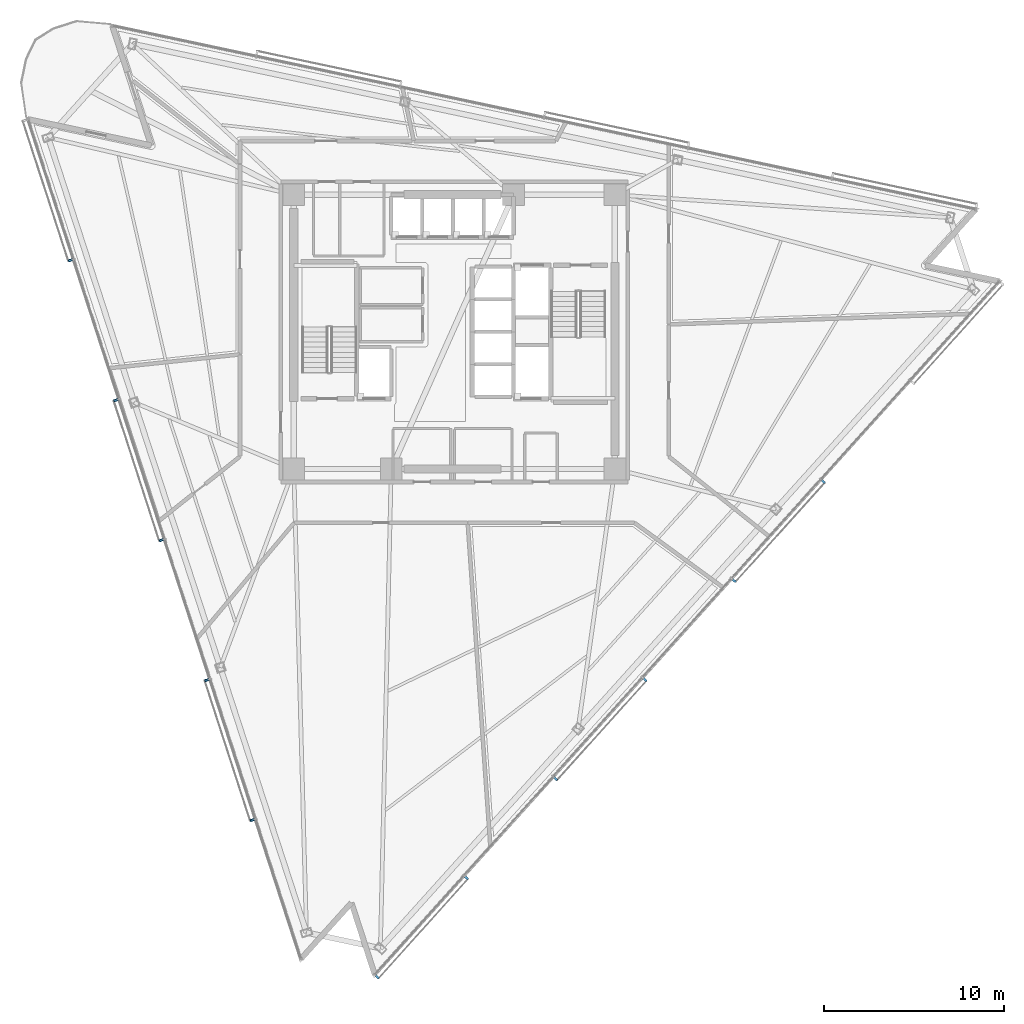
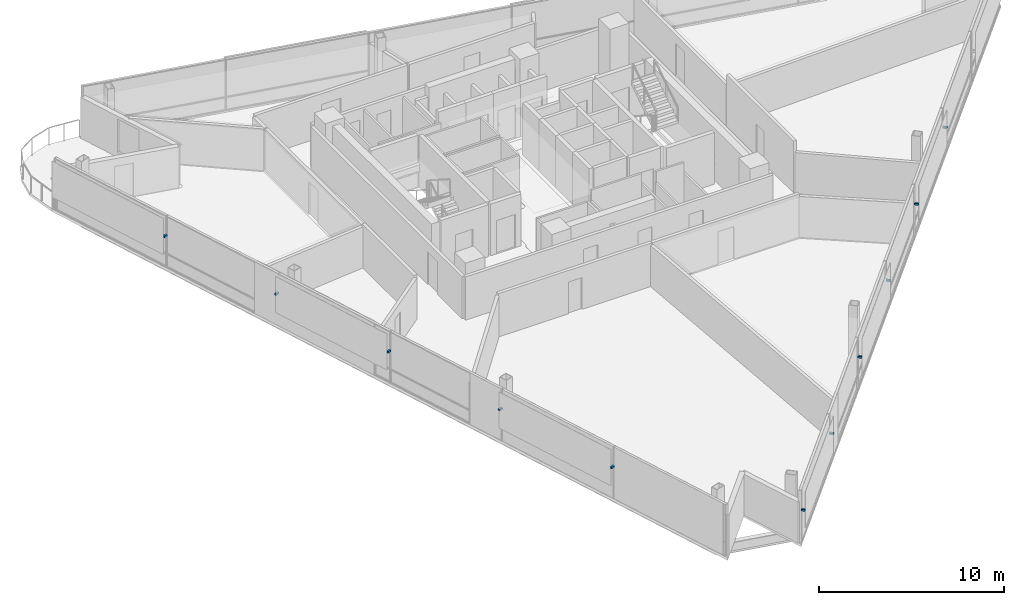
# One storey, part 13 of 17: 11 discrete accessories.
"""IFC4 building model written with IfcOpenShell, lengths in metres."""

from ifc_helpers import new_model, si_unit, direction, frame, origin, origin_2d, place, context, subcontext, project, spatial, rectangle, extrude, material, type_object, element, save


model = new_model("IFC4")

# Units and contexts
model_context = context("Model", 3, precision=1e-05, world=origin(), true_north=direction((0.0, 1.0)))
body_context = subcontext(model_context, "Body", "Model", "MODEL_VIEW")
ifc_project = project(units=[si_unit("LENGTHUNIT", "METRE"), si_unit("AREAUNIT", "SQUARE_METRE"), si_unit("VOLUMEUNIT", "CUBIC_METRE"), si_unit("PLANEANGLEUNIT", "RADIAN"), si_unit("MASSUNIT", "GRAM", prefix="KILO")], contexts=[model_context])

# Site, building, storey
site_placement = place(None, origin())
site = spatial("IfcSite", under=ifc_project, at=site_placement, CompositionType="ELEMENT")
building_placement = place(site_placement, origin())
building = spatial("IfcBuilding", under=site, at=building_placement, Name="Tharavind Bronze Gate", CompositionType="ELEMENT")
storey_placement = place(building_placement, frame((0.0, 0.0, 204.050048828125)))
storey = spatial("IfcBuildingStorey", under=building, at=storey_placement, Name="L52", CompositionType="ELEMENT", Elevation=204.050048828125)

# Discrete accessories
ifc_material = material(Name="Stainless Steel 316", Category="steel")
discrete_accessory_type = type_object("IfcDiscreteAccessoryType", Name="SOLAR SCREEN STANDOFF BRACKET", PredefinedType="BRACKET", material=ifc_material)
for number, where, z_axis, x_axis, name in (
    (1, (-21.281005859375, 3.96826171875, 2.099853515625), (0.0, 0.0, 1.0), (0.309016994375, -0.951056516295, 0.0), "CW-L52-S1 solar screen bracket 1.2"),
    (2, (-18.760986328125, -3.7880859375, 2.099853515625), (0.0, 0.0, 1.0), (0.309016994375, -0.951056516295, 0.0), "CW-L52-S1 solar screen bracket 3.1"),
    (3, (-16.240478515625, -11.544677734375, 2.099853515625), (0.0, 0.0, 1.0), (0.309016994375, -0.951056516295, 0.0), "CW-L52-S1 solar screen bracket 3.2"),
    (4, (-13.720458984375, -19.30126953125, 2.099853515625), (0.0, 0.0, 1.0), (0.309016994375, -0.951056516295, 0.0), "CW-L52-S1 solar screen bracket 5.1"),
    (5, (-11.2001953125, -27.057861328125, 2.099853515625), (0.0, 0.0, 1.0), (0.309016994375, -0.951056516295, 0.0), "CW-L52-S1 solar screen bracket 5.2"),
    (6, (-4.2783203125, -35.75, 2.099853515625), (0.0, 0.0, 1.0), (0.669130606359, 0.743144825477, 0.0), "CW-L52-S2 solar screen bracket 1.1"),
    (7, (0.666015625, -30.258544921875, 2.099853515625), (0.0, 0.0, 1.0), (0.669130606359, 0.743144825477, 0.0), "CW-L52-S2 solar screen bracket 1.2"),
    (8, (5.610595703125, -24.76708984375, 2.099853515625), (0.0, 0.0, 1.0), (0.669130606359, 0.743144825477, 0.0), "CW-L52-S2 solar screen bracket 3.1"),
    (9, (10.55517578125, -19.275634765625, 2.099853515625), (0.0, 0.0, 1.0), (0.669130606359, 0.743144825477, 0.0), "CW-L52-S2 solar screen bracket 3.2"),
    (10, (15.49951171875, -13.7841796875, 2.099853515625), (0.0, 0.0, 1.0), (0.669130606359, 0.743144825477, 0.0), "CW-L52-S2 solar screen bracket 5.1"),
    (11, (20.444091796875, -8.292724609375, 2.099853515625), (0.0, 0.0, 1.0), (0.669130606359, 0.743144825477, 0.0), "CW-L52-S2 solar screen bracket 5.2"),
):
    element("IfcDiscreteAccessory", number, at=place(storey_placement, frame(where, z_axis=z_axis, x_axis=x_axis)), inside=storey, type_object=discrete_accessory_type, Name=name, PredefinedType="BRACKET", context=body_context, shape_type="SweptSolid", body=[
        extrude(rectangle(XDim=0.1201171875, YDim=0.239990234375, at=origin_2d()), origin(), (0.0, 0.0, 1.0), 0.1201171875),
    ])

save(model, "model.ifc")
